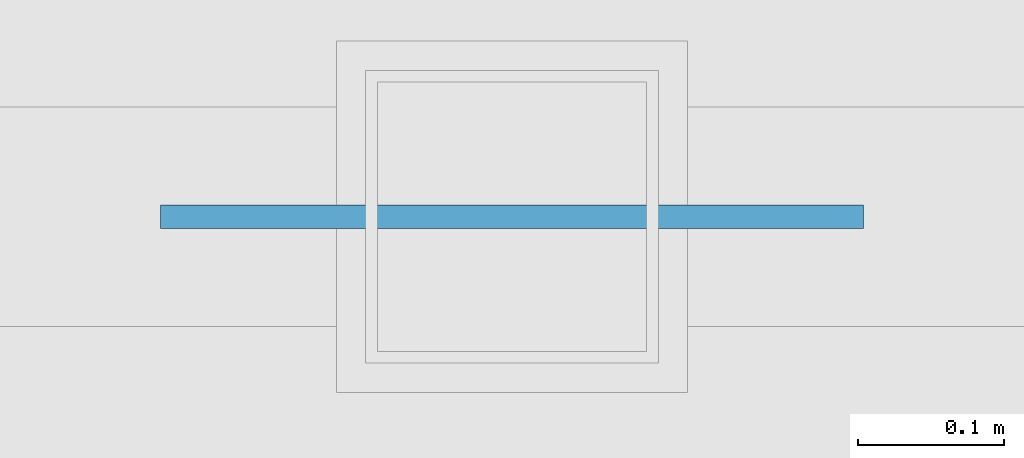
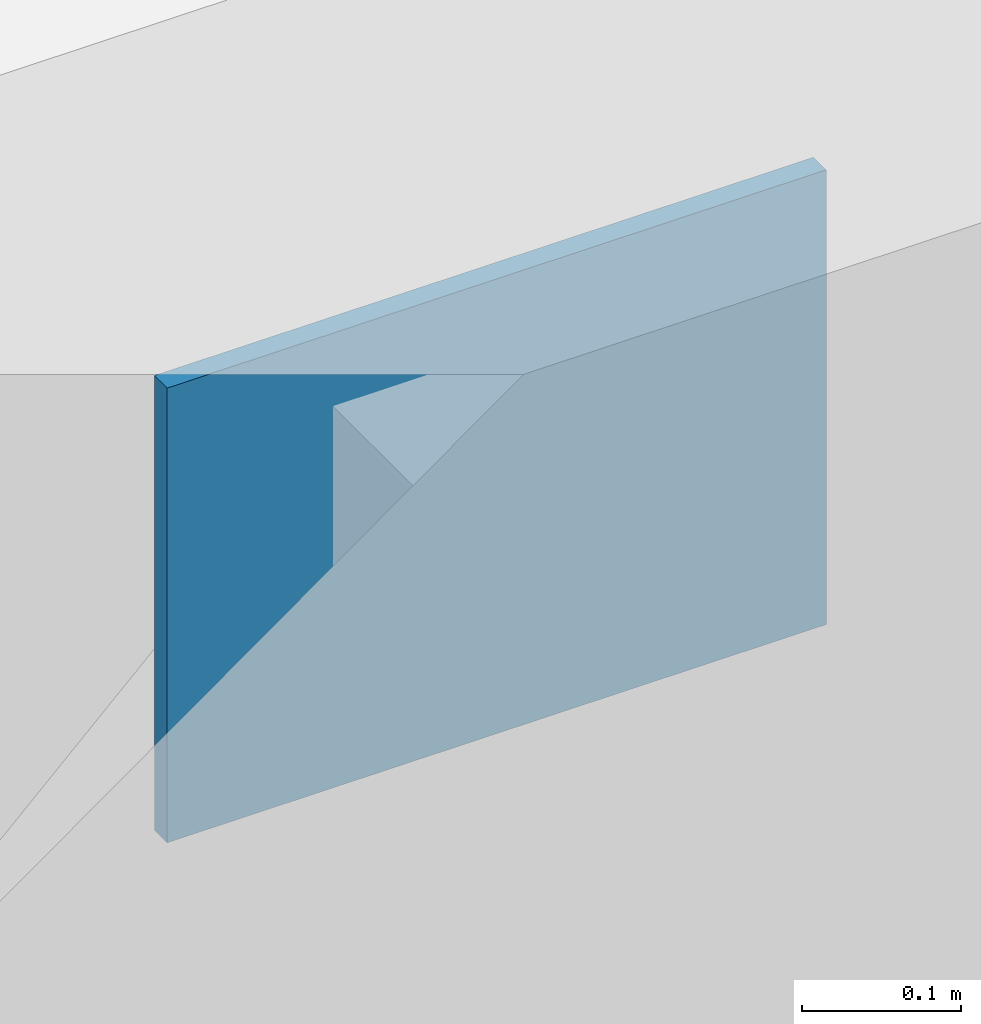
# One storey, part 163 of 195: 1 plate.
"""IFC4 building model written with IfcOpenShell, lengths in metres."""

from ifc_helpers import new_model, si_unit, direction, frame, origin, origin_2d, place, context, subcontext, project, spatial, rectangle, extrude, material, type_object, element, save


model = new_model("IFC4")

# Units and contexts
model_context = context("Model", 3, precision=1e-05, world=origin(), true_north=direction((0.0, 1.0)))
body_context = subcontext(model_context, "Body", "Model", "MODEL_VIEW")
ifc_project = project(units=[si_unit("LENGTHUNIT", "METRE"), si_unit("AREAUNIT", "SQUARE_METRE"), si_unit("VOLUMEUNIT", "CUBIC_METRE"), si_unit("PLANEANGLEUNIT", "RADIAN"), si_unit("MASSUNIT", "GRAM", prefix="KILO")], contexts=[model_context])

# Site, building, storey
site_placement = place(None, origin())
site = spatial("IfcSite", under=ifc_project, at=site_placement, CompositionType="ELEMENT")
building_placement = place(site_placement, origin())
building = spatial("IfcBuilding", under=site, at=building_placement, Name="Kharva Crest Polytechnic", CompositionType="ELEMENT")
storey_placement = place(building_placement, frame((0.0, 0.0, 9.0)))
storey = spatial("IfcBuildingStorey", under=building, at=storey_placement, Name="L02", CompositionType="ELEMENT", Elevation=9.0)

# Plate
ifc_material = material(Name="Steel S355", Category="steel")
plate_type = type_object("IfcPlateType", Name="PLT-GUS-480X350X16", PredefinedType="USERDEFINED", material=ifc_material)
plate_placement = place(storey_placement, frame((172.60009765625, 46.800048828125, 3.474853515625), z_axis=(0.0, 0.0, 1.0), x_axis=(1.0, 0.0, 0.0)))
element("IfcPlate", 1, at=plate_placement, inside=storey, type_object=plate_type, Name="L02 Braced Frame Gusset Plate 9", ObjectType="GUSSET PLATE", PredefinedType="USERDEFINED", context=body_context, shape_type="SweptSolid", body=[
    extrude(rectangle(XDim=0.47998046875, YDim=0.01611328125, at=origin_2d()), origin(), (0.0, 0.0, 1.0), 0.35009765625),
])

save(model, "model.ifc")
